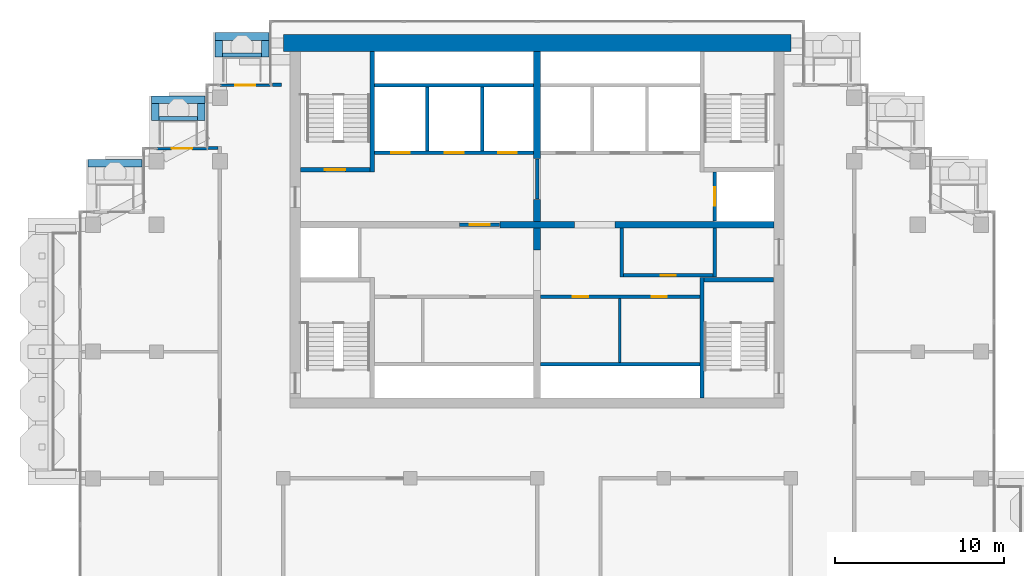
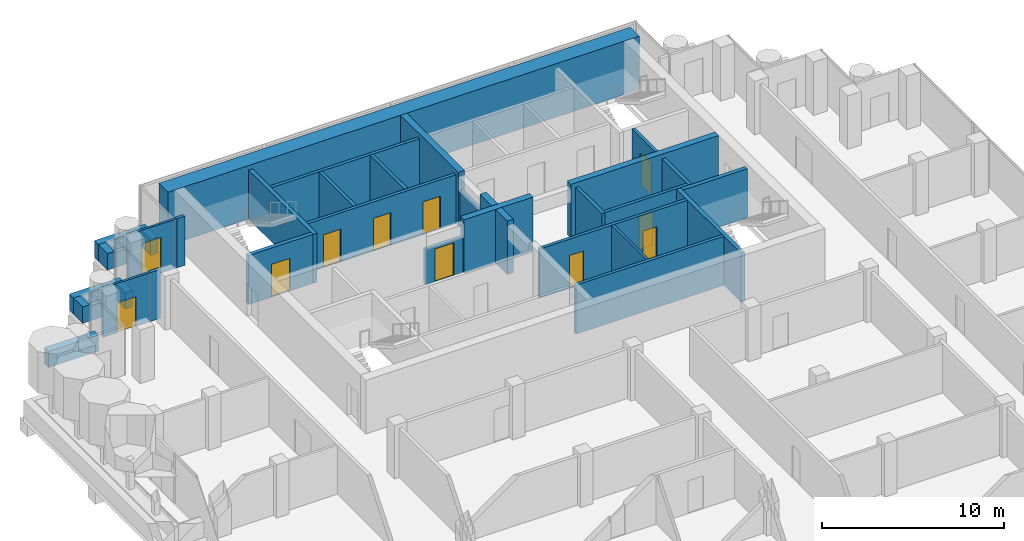
# One storey, part 13 of 18: 36 walls, 11 doors, 11 openings.
"""IFC4 building model written with IfcOpenShell, lengths in metres."""

from ifc_helpers import new_model, si_unit, direction, frame, frame_2d, origin, place, context, subcontext, project, spatial, rectangle, extrude, material, layer, layer_set, type_object, element, fill, save


model = new_model("IFC4")

# Units and contexts
model_context = context("Model", 3, precision=1e-05, world=origin(), true_north=direction((0.0, 1.0)))
body_context = subcontext(model_context, "Body", "Model", "MODEL_VIEW")
ifc_project = project(units=[si_unit("LENGTHUNIT", "METRE"), si_unit("AREAUNIT", "SQUARE_METRE"), si_unit("VOLUMEUNIT", "CUBIC_METRE"), si_unit("PLANEANGLEUNIT", "RADIAN"), si_unit("MASSUNIT", "GRAM", prefix="KILO")], contexts=[model_context])

# Site, building, storey
site_placement = place(None, origin())
site = spatial("IfcSite", under=ifc_project, at=site_placement, CompositionType="ELEMENT")
building_placement = place(site_placement, origin())
building = spatial("IfcBuilding", under=site, at=building_placement, Name="Pilkhan Gate Tower", CompositionType="ELEMENT")
storey_placement = place(building_placement, frame((0.0, 0.0, 242.699951171875)))
storey = spatial("IfcBuildingStorey", under=building, at=storey_placement, Name="L63", CompositionType="ELEMENT", Elevation=242.699951171875)

# Walls
ifc_material_1 = material(Name="Concrete C40/50", Category="concrete")
ifc_layer_1 = layer(ifc_material_1, 0.25)
ifc_layer_set_1 = layer_set([ifc_layer_1], Name="Balcony planter BP250")
wall_type_1 = type_object("IfcWallType", Name="Balcony planter BP250", PredefinedType="USERDEFINED", material=ifc_layer_set_1)
wall_1_placement = place(storey_placement, frame((56.39990234375, 92.52490234375, 0.0), z_axis=(0.0, 0.0, 1.0), x_axis=(1.0, 0.0, 0.0)))
element("IfcWall", 1, at=wall_1_placement, inside=storey, type_object=wall_type_1, Name="Balcony planter L63 N", ObjectType="BALCONY PLANTER", PredefinedType="USERDEFINED", context=body_context, shape_type="SweptSolid", body=[
    extrude(rectangle(XDim=2.300048828125, YDim=0.25, at=frame_2d((1.14990234375, 0.0))), origin(), (0.0, 0.0, 1.0), 1.0),
])
wall_2_placement = place(storey_placement, frame((52.64990234375, 88.77490234375, 0.0), z_axis=(0.0, 0.0, 1.0), x_axis=(1.0, 0.0, 0.0)))
element("IfcWall", 2, at=wall_2_placement, inside=storey, type_object=wall_type_1, Name="Balcony planter L63 N", ObjectType="BALCONY PLANTER", PredefinedType="USERDEFINED", context=body_context, shape_type="SweptSolid", body=[
    extrude(rectangle(XDim=2.280029296875, YDim=0.25, at=frame_2d((1.14013671875, 0.0))), origin(), (0.0, 0.0, 1.0), 1.0),
])
ifc_material_2 = material(Name="Board-marked Concrete C40/50", Category="concrete")
ifc_layer_2 = layer(ifc_material_2, 0.449951171875)
ifc_layer_set_2 = layer_set([ifc_layer_2], Name="Balcony planter lip BL450")
wall_type_2 = type_object("IfcWallType", Name="Balcony planter lip BL450", PredefinedType="USERDEFINED", material=ifc_layer_set_2)
wall_3_placement = place(storey_placement, frame((55.949951171875, 93.625, 0.0), z_axis=(0.0, 0.0, 1.0), x_axis=(1.0, 0.0, 0.0)))
element("IfcWall", 3, at=wall_3_placement, inside=storey, type_object=wall_type_2, Name="Balcony planter L63 N", ObjectType="BALCONY PLANTER", PredefinedType="USERDEFINED", context=body_context, shape_type="SweptSolid", body=[
    extrude(rectangle(XDim=3.199951171875, YDim=0.449951171875, at=frame_2d((1.60009765625, 0.0))), origin(), (0.0, 0.0, 1.0), 1.10009765625),
])
for number, where, z_axis, x_axis, name in (
    (4, (56.175048828125, 92.39990234375, 0.0), (0.0, 0.0, 1.0), (0.0, 1.0, 0.0), "Balcony planter L63 N"),
    (5, (58.925048828125, 92.39990234375, 0.0), (0.0, 0.0, 1.0), (0.0, 1.0, 0.0), "Balcony planter L63 N"),
):
    element("IfcWall", number, at=place(storey_placement, frame(where, z_axis=z_axis, x_axis=x_axis)), inside=storey, type_object=wall_type_2, Name=name, ObjectType="BALCONY PLANTER", PredefinedType="USERDEFINED", context=body_context, shape_type="SweptSolid", body=[
        extrude(rectangle(XDim=1.0, YDim=0.449951171875, at=frame_2d((0.5, 0.0))), origin(), (0.0, 0.0, 1.0), 1.10009765625),
    ])
wall_4_placement = place(storey_placement, frame((52.199951171875, 89.875, 0.0), z_axis=(0.0, 0.0, 1.0), x_axis=(1.0, 0.0, 0.0)))
element("IfcWall", 6, at=wall_4_placement, inside=storey, type_object=wall_type_2, Name="Balcony planter L63 N", ObjectType="BALCONY PLANTER", PredefinedType="USERDEFINED", context=body_context, shape_type="SweptSolid", body=[
    extrude(rectangle(XDim=3.179931640625, YDim=0.449951171875, at=frame_2d((1.58984375, 0.0))), origin(), (0.0, 0.0, 1.0), 1.10009765625),
])
for number, where, z_axis, x_axis, name in (
    (7, (52.425048828125, 88.64990234375, 0.0), (0.0, 0.0, 1.0), (0.0, 1.0, 0.0), "Balcony planter L63 N"),
    (8, (55.155029296875, 88.64990234375, 0.0), (0.0, 0.0, 1.0), (0.0, 1.0, 0.0), "Balcony planter L63 N"),
):
    element("IfcWall", number, at=place(storey_placement, frame(where, z_axis=z_axis, x_axis=x_axis)), inside=storey, type_object=wall_type_2, Name=name, ObjectType="BALCONY PLANTER", PredefinedType="USERDEFINED", context=body_context, shape_type="SweptSolid", body=[
        extrude(rectangle(XDim=1.0, YDim=0.449951171875, at=frame_2d((0.5, 0.0))), origin(), (0.0, 0.0, 1.0), 1.10009765625),
    ])
wall_5_placement = place(storey_placement, frame((48.449951171875, 86.125, 0.0), z_axis=(0.0, 0.0, 1.0), x_axis=(1.0, 0.0, 0.0)))
element("IfcWall", 9, at=wall_5_placement, inside=storey, type_object=wall_type_2, Name="Balcony planter L63 N", ObjectType="BALCONY PLANTER", PredefinedType="USERDEFINED", context=body_context, shape_type="SweptSolid", body=[
    extrude(rectangle(XDim=3.179931640625, YDim=0.449951171875, at=frame_2d((1.58984375, 0.0))), origin(), (0.0, 0.0, 1.0), 1.10009765625),
])
ifc_material_3 = material(Name="Concrete C50/60", Category="concrete")
ifc_layer_3 = layer(ifc_material_3, 1.0)
ifc_layer_set_3 = layer_set([ifc_layer_3], Name="Core wall CW1000 C50/60")
wall_type_3 = type_object("IfcWallType", Name="Core wall CW1000 C50/60", PredefinedType="SHEAR", material=ifc_layer_set_3)
wall_6_placement = place(storey_placement, frame((90.0, 93.25, 0.0), z_axis=(0.0, 0.0, 1.0), x_axis=(-1.0, 0.0, 0.0)))
element("IfcWall", 10, at=wall_6_placement, inside=storey, type_object=wall_type_3, Name="Core wall N L63", PredefinedType="SHEAR", context=body_context, shape_type="SweptSolid", body=[
    extrude(rectangle(XDim=30.0, YDim=1.0, at=frame_2d((15.0, 0.0))), origin(), (0.0, 0.0, 1.0), 3.60009765625),
])
ifc_material_4 = material(Name="Dense blockwork", Category="masonry")
ifc_layer_4 = layer(ifc_material_4, 0.199951171875)
ifc_layer_set_4 = layer_set([ifc_layer_4], Name="Corridor wall FW200")
wall_type_4 = type_object("IfcWallType", Name="Corridor wall FW200", PredefinedType="PARTITIONING", material=ifc_layer_set_4)
wall_7_placement = place(storey_placement, frame((55.510009765625, 87.030029296875, 0.0), z_axis=(0.0, 0.0, 1.0), x_axis=(1.0, 0.0, 0.0)))
element("IfcWall", 11, at=wall_7_placement, inside=storey, type_object=wall_type_4, Name="Partition L63", PredefinedType="PARTITIONING", context=body_context, shape_type="SweptSolid", body=[
    extrude(rectangle(XDim=0.639892578125, YDim=0.199951171875, at=frame_2d((0.31982421875, 0.0))), origin(), (0.0, 0.0, 1.0), 3.300048828125),
])
wall_8_placement = place(storey_placement, frame((59.35498046875, 90.764892578125, 0.0), z_axis=(0.0, 0.0, 1.0), x_axis=(1.0, 0.0, 0.0)))
element("IfcWall", 12, at=wall_8_placement, inside=storey, type_object=wall_type_4, Name="Partition L63", PredefinedType="PARTITIONING", context=body_context, shape_type="SweptSolid", body=[
    extrude(rectangle(XDim=0.52490234375, YDim=0.199951171875, at=frame_2d((0.262451171875, 0.0))), origin(), (0.0, 0.0, 1.0), 3.300048828125),
])

# Wall, opening, door
ifc_material_5 = material(Name="Pale anodised aluminium, clear laminated glazing", Category="aluminium")
ifc_layer_5 = layer(ifc_material_5, 0.14990234375)
ifc_layer_set_5 = layer_set([ifc_layer_5], Name="Facade infill wall IW150")
wall_type_5 = type_object("IfcWallType", Name="Facade infill wall IW150", PredefinedType="SOLIDWALL", material=ifc_layer_set_5)
wall_9_placement = place(storey_placement, frame((56.25, 90.75, 0.0), z_axis=(0.0, 0.0, 1.0), x_axis=(1.0, 0.0, 0.0)))
wall_9 = element("IfcWall", 13, at=wall_9_placement, inside=storey, type_object=wall_type_5, Name="Infill wall L63 N", PredefinedType="SOLIDWALL", context=body_context, shape_type="SweptSolid", body=[
    extrude(rectangle(XDim=3.0, YDim=0.14990234375, at=frame_2d((1.5, 0.0))), origin(), (0.0, 0.0, 1.0), 3.300048828125),
])
opening_1_placement = place(wall_9_placement, frame((0.89990234375, 0.0, 0.0)))
opening_1 = element("IfcOpeningElement", 14, at=opening_1_placement, cuts=wall_9, Name="Opening D1", PredefinedType="OPENING", context=body_context, shape_type="SweptSolid", body=[
    extrude(rectangle(XDim=1.199951171875, YDim=2.39990234375, at=frame_2d((0.60009765625, 1.199951171875))), frame((0.0, 0.0849609375, 0.0), z_axis=(0.0, -1.0, 0.0), x_axis=(1.0, 0.0, 0.0)), (0.0, 0.0, 1.0), 0.169921875),
])
ifc_material_6 = material(Name="Pale anodised aluminium, clear glazing", Category="aluminium")
door_type_1 = type_object("IfcDoorType", Name="Balcony door D1 1200x2400", OperationType="SINGLE_SWING_LEFT", PredefinedType="DOOR", material=ifc_material_6)
door_1_placement = place(opening_1_placement, origin())
door_1 = element("IfcDoor", 15, at=door_1_placement, inside=storey, type_object=door_type_1, Name="Balcony door L63", OperationType="SINGLE_SWING_LEFT", OverallHeight=2.39990234375, OverallWidth=1.199951171875, PredefinedType="DOOR", context=body_context, shape_type="SweptSolid", body=[
    extrude(rectangle(XDim=1.199951171875, YDim=2.39990234375, at=frame_2d((0.60009765625, 1.199951171875))), frame((0.0, 0.02490234375, 0.0), z_axis=(0.0, -1.0, 0.0), x_axis=(1.0, 0.0, 0.0)), (0.0, 0.0, 1.0), 0.050048828125),
])
fill(opening_1, door_1)

wall_10_placement = place(storey_placement, frame((52.5, 87.0, 0.0), z_axis=(0.0, 0.0, 1.0), x_axis=(1.0, 0.0, 0.0)))
wall_10 = element("IfcWall", 16, at=wall_10_placement, inside=storey, type_object=wall_type_5, Name="Infill wall L63 N", PredefinedType="SOLIDWALL", context=body_context, shape_type="SweptSolid", body=[
    extrude(rectangle(XDim=3.0, YDim=0.14990234375, at=frame_2d((1.5, 0.0))), origin(), (0.0, 0.0, 1.0), 3.300048828125),
])
opening_2_placement = place(wall_10_placement, frame((0.89990234375, 0.0, 0.0)))
opening_2 = element("IfcOpeningElement", 17, at=opening_2_placement, cuts=wall_10, Name="Opening D1L", PredefinedType="OPENING", context=body_context, shape_type="SweptSolid", body=[
    extrude(rectangle(XDim=1.199951171875, YDim=2.0, at=frame_2d((0.60009765625, 1.0))), frame((0.0, 0.0849609375, 0.0), z_axis=(0.0, -1.0, 0.0), x_axis=(1.0, 0.0, 0.0)), (0.0, 0.0, 1.0), 0.169921875),
])
door_type_2 = type_object("IfcDoorType", Name="Balcony door D1L 1200x2000", OperationType="SINGLE_SWING_LEFT", PredefinedType="DOOR", material=ifc_material_6)
door_2_placement = place(opening_2_placement, origin())
door_2 = element("IfcDoor", 18, at=door_2_placement, inside=storey, type_object=door_type_2, Name="Balcony door L63", OperationType="SINGLE_SWING_LEFT", OverallHeight=2.0, OverallWidth=1.199951171875, PredefinedType="DOOR", context=body_context, shape_type="SweptSolid", body=[
    extrude(rectangle(XDim=1.199951171875, YDim=2.0, at=frame_2d((0.60009765625, 1.0))), frame((0.0, 0.02490234375, 0.0), z_axis=(0.0, -1.0, 0.0), x_axis=(1.0, 0.0, 0.0)), (0.0, 0.0, 1.0), 0.050048828125),
])
fill(opening_2, door_2)

# Wall
ifc_layer_6 = layer(ifc_material_4, 0.199951171875)
ifc_layer_set_6 = layer_set([ifc_layer_6], Name="Lobby wall LW200")
wall_type_6 = type_object("IfcWallType", Name="Lobby wall LW200", PredefinedType="PARTITIONING", material=ifc_layer_set_6)
wall_11_placement = place(storey_placement, frame((75.2099609375, 74.25, 0.0), z_axis=(0.0, 0.0, 1.0), x_axis=(1.0, 0.0, 0.0)))
element("IfcWall", 19, at=wall_11_placement, inside=storey, type_object=wall_type_6, Name="Partition L63", PredefinedType="PARTITIONING", context=body_context, shape_type="SweptSolid", body=[
    extrude(rectangle(XDim=9.4150390625, YDim=0.199951171875, at=frame_2d((4.70751953125, 0.0))), origin(), (0.0, 0.0, 1.0), 3.300048828125),
])

# Wall, openings, doors
wall_12_placement = place(storey_placement, frame((75.2099609375, 78.25, 0.0), z_axis=(0.0, 0.0, 1.0), x_axis=(1.0, 0.0, 0.0)))
wall_12 = element("IfcWall", 20, at=wall_12_placement, inside=storey, type_object=wall_type_6, Name="Partition L63", PredefinedType="PARTITIONING", context=body_context, shape_type="SweptSolid", body=[
    extrude(rectangle(XDim=9.4150390625, YDim=0.199951171875, at=frame_2d((4.70751953125, 0.0))), origin(), (0.0, 0.0, 1.0), 3.300048828125),
])
opening_3_placement = place(wall_12_placement, frame((1.89990234375, 0.0, 0.0)))
opening_3 = element("IfcOpeningElement", 21, at=opening_3_placement, cuts=wall_12, Name="Opening L63-11", PredefinedType="OPENING", context=body_context, shape_type="SweptSolid", body=[
    extrude(rectangle(XDim=0.89990234375, YDim=2.199951171875, at=frame_2d((0.449951171875, 1.10009765625))), frame((0.0, 0.10986328125, 0.0), z_axis=(0.0, -1.0, 0.0), x_axis=(1.0, 0.0, 0.0)), (0.0, 0.0, 1.0), 0.219970703125),
])
opening_4_placement = place(wall_12_placement, frame((6.56494140625, 0.0, 0.0)))
opening_4 = element("IfcOpeningElement", 22, at=opening_4_placement, cuts=wall_12, Name="Opening L63-12", PredefinedType="OPENING", context=body_context, shape_type="SweptSolid", body=[
    extrude(rectangle(XDim=0.89990234375, YDim=2.199951171875, at=frame_2d((0.449951171875, 1.10009765625))), frame((0.0, 0.10986328125, 0.0), z_axis=(0.0, -1.0, 0.0), x_axis=(1.0, 0.0, 0.0)), (0.0, 0.0, 1.0), 0.219970703125),
])
ifc_material_7 = material(Name="Timber flush door, 60 minute fire resisting, self-closing", Category="wood")
door_type_3 = type_object("IfcDoorType", Name="Store door D05 900x2200", OperationType="SINGLE_SWING_LEFT", PredefinedType="DOOR", material=ifc_material_7)
door_3_placement = place(opening_3_placement, origin())
door_3 = element("IfcDoor", 23, at=door_3_placement, inside=storey, type_object=door_type_3, Name="Store door", OperationType="SINGLE_SWING_RIGHT", OverallHeight=2.199951171875, OverallWidth=0.89990234375, PredefinedType="DOOR", context=body_context, shape_type="SweptSolid", body=[
    extrude(rectangle(XDim=0.89990234375, YDim=2.199951171875, at=frame_2d((0.449951171875, 1.10009765625))), frame((0.0, 0.02490234375, 0.0), z_axis=(0.0, -1.0, 0.0), x_axis=(1.0, 0.0, 0.0)), (0.0, 0.0, 1.0), 0.050048828125),
])
fill(opening_3, door_3)
door_4_placement = place(opening_4_placement, origin())
door_4 = element("IfcDoor", 24, at=door_4_placement, inside=storey, type_object=door_type_3, Name="Store door", OperationType="SINGLE_SWING_LEFT", OverallHeight=2.199951171875, OverallWidth=0.89990234375, PredefinedType="DOOR", context=body_context, shape_type="SweptSolid", body=[
    extrude(rectangle(XDim=0.89990234375, YDim=2.199951171875, at=frame_2d((0.449951171875, 1.10009765625))), frame((0.0, 0.02490234375, 0.0), z_axis=(0.0, -1.0, 0.0), x_axis=(1.0, 0.0, 0.0)), (0.0, 0.0, 1.0), 0.050048828125),
])
fill(opening_4, door_4)

# Wall, opening, door
wall_13_placement = place(storey_placement, frame((80.10009765625, 79.5, 0.0), z_axis=(0.0, 0.0, 1.0), x_axis=(1.0, 0.0, 0.0)))
wall_13 = element("IfcWall", 25, at=wall_13_placement, inside=storey, type_object=wall_type_6, Name="Partition L63", PredefinedType="PARTITIONING", context=body_context, shape_type="SweptSolid", body=[
    extrude(rectangle(XDim=5.2998046875, YDim=0.199951171875, at=frame_2d((2.64990234375, 0.0))), origin(), (0.0, 0.0, 1.0), 3.300048828125),
])
opening_5_placement = place(wall_13_placement, frame((2.199951171875, 0.0, 0.0)))
opening_5 = element("IfcOpeningElement", 26, at=opening_5_placement, cuts=wall_13, Name="Opening L63-07", PredefinedType="OPENING", context=body_context, shape_type="SweptSolid", body=[
    extrude(rectangle(XDim=0.89990234375, YDim=2.199951171875, at=frame_2d((0.449951171875, 1.10009765625))), frame((0.0, 0.10986328125, 0.0), z_axis=(0.0, -1.0, 0.0), x_axis=(1.0, 0.0, 0.0)), (0.0, 0.0, 1.0), 0.219970703125),
])
door_5_placement = place(opening_5_placement, origin())
door_5 = element("IfcDoor", 27, at=door_5_placement, inside=storey, type_object=door_type_3, Name="Store door", OperationType="SINGLE_SWING_LEFT", OverallHeight=2.199951171875, OverallWidth=0.89990234375, PredefinedType="DOOR", context=body_context, shape_type="SweptSolid", body=[
    extrude(rectangle(XDim=0.89990234375, YDim=2.199951171875, at=frame_2d((0.449951171875, 1.10009765625))), frame((0.0, 0.02490234375, 0.0), z_axis=(0.0, -1.0, 0.0), x_axis=(1.0, 0.0, 0.0)), (0.0, 0.0, 1.0), 0.050048828125),
])
fill(opening_5, door_5)

wall_14_placement = place(storey_placement, frame((70.409912109375, 82.5, 0.0), z_axis=(0.0, 0.0, 1.0), x_axis=(1.0, 0.0, 0.0)))
wall_14 = element("IfcWall", 28, at=wall_14_placement, inside=storey, type_object=wall_type_6, Name="Partition L63", PredefinedType="PARTITIONING", context=body_context, shape_type="SweptSolid", body=[
    extrude(rectangle(XDim=2.380126953125, YDim=0.199951171875, at=frame_2d((1.18994140625, 0.0))), origin(), (0.0, 0.0, 1.0), 2.400146484375),
])
opening_6_placement = place(wall_14_placement, frame((0.60009765625, 0.0, 0.0)))
opening_6 = element("IfcOpeningElement", 29, at=opening_6_placement, cuts=wall_14, Name="Opening L63-01", PredefinedType="OPENING", context=body_context, shape_type="SweptSolid", body=[
    extrude(rectangle(XDim=1.199951171875, YDim=2.199951171875, at=frame_2d((0.60009765625, 1.10009765625))), frame((0.0, 0.10986328125, 0.0), z_axis=(0.0, -1.0, 0.0), x_axis=(1.0, 0.0, 0.0)), (0.0, 0.0, 1.0), 0.219970703125),
])
ifc_material_8 = material(Name="Steel door, 120 minute fire resisting, self-closing", Category="steel")
door_type_4 = type_object("IfcDoorType", Name="Firefighting lobby door D10 1200x2200", OperationType="SINGLE_SWING_LEFT", PredefinedType="DOOR", material=ifc_material_8)
door_6_placement = place(opening_6_placement, origin())
door_6 = element("IfcDoor", 30, at=door_6_placement, inside=storey, type_object=door_type_4, Name="Firefighting lobby door", OperationType="SINGLE_SWING_LEFT", OverallHeight=2.199951171875, OverallWidth=1.199951171875, PredefinedType="DOOR", context=body_context, shape_type="SweptSolid", body=[
    extrude(rectangle(XDim=1.199951171875, YDim=2.199951171875, at=frame_2d((0.60009765625, 1.10009765625))), frame((0.0, 0.02490234375, 0.0), z_axis=(0.0, -1.0, 0.0), x_axis=(1.0, 0.0, 0.0)), (0.0, 0.0, 1.0), 0.050048828125),
])
fill(opening_6, door_6)

# Walls
wall_15_placement = place(storey_placement, frame((75.0, 84.010009765625, 0.0), z_axis=(0.0, 0.0, 1.0), x_axis=(0.0, 1.0, 0.0)))
element("IfcWall", 31, at=wall_15_placement, inside=storey, type_object=wall_type_6, Name="Partition L63", PredefinedType="PARTITIONING", context=body_context, shape_type="SweptSolid", body=[
    extrude(rectangle(XDim=2.3798828125, YDim=0.199951171875, at=frame_2d((1.18994140625, 0.0))), origin(), (0.0, 0.0, 1.0), 2.400146484375),
])
for number, where, z_axis, x_axis, name in (
    (32, (80.0, 79.39990234375, 0.0), (0.0, 0.0, 1.0), (0.0, 1.0, 0.0), "Partition L63"),
    (33, (85.5, 79.39990234375, 0.0), (0.0, 0.0, 1.0), (0.0, 1.0, 0.0), "Partition L63"),
):
    element("IfcWall", number, at=place(storey_placement, frame(where, z_axis=z_axis, x_axis=x_axis)), inside=storey, type_object=wall_type_6, Name=name, PredefinedType="PARTITIONING", context=body_context, shape_type="SweptSolid", body=[
        extrude(rectangle(XDim=2.89013671875, YDim=0.199951171875, at=frame_2d((1.445068359375, 0.0))), origin(), (0.0, 0.0, 1.0), 3.300048828125),
    ])
ifc_material_9 = material(Name="Blockwork partition, plastered both sides", Category="masonry")
ifc_layer_7 = layer(ifc_material_9, 0.14990234375)
ifc_layer_set_7 = layer_set([ifc_layer_7], Name="Partition PW150")
wall_type_7 = type_object("IfcWallType", Name="Partition PW150", PredefinedType="PARTITIONING", material=ifc_layer_set_7)
wall_16_placement = place(storey_placement, frame((79.875, 74.35009765625, 0.0), z_axis=(0.0, 0.0, 1.0), x_axis=(0.0, 1.0, 0.0)))
element("IfcWall", 34, at=wall_16_placement, inside=storey, type_object=wall_type_7, Name="Partition L63", PredefinedType="PARTITIONING", context=body_context, shape_type="SweptSolid", body=[
    extrude(rectangle(XDim=3.7998046875, YDim=0.14990234375, at=frame_2d((1.89990234375, 0.0))), origin(), (0.0, 0.0, 1.0), 3.300048828125),
])

# Wall, openings, doors
ifc_material_10 = material(Name="Reinforced blockwork shaft wall, 120 minute fire resisting", Category="masonry")
ifc_layer_8 = layer(ifc_material_10, 0.199951171875)
ifc_layer_set_8 = layer_set([ifc_layer_8], Name="Shaft wall SW200")
wall_type_8 = type_object("IfcWallType", Name="Shaft wall SW200", PredefinedType="PARTITIONING", material=ifc_layer_set_8)
wall_17_placement = place(storey_placement, frame((65.375, 86.75, 0.0), z_axis=(0.0, 0.0, 1.0), x_axis=(1.0, 0.0, 0.0)))
wall_17 = element("IfcWall", 35, at=wall_17_placement, inside=storey, type_object=wall_type_8, Name="Partition L63", PredefinedType="PARTITIONING", context=body_context, shape_type="SweptSolid", body=[
    extrude(rectangle(XDim=9.4150390625, YDim=0.199951171875, at=frame_2d((4.70751953125, 0.0))), origin(), (0.0, 0.0, 1.0), 3.300048828125),
])
opening_7_placement = place(wall_17_placement, frame((1.0, 0.0, 0.0)))
opening_7 = element("IfcOpeningElement", 36, at=opening_7_placement, cuts=wall_17, Name="Opening LD", PredefinedType="OPENING", context=body_context, shape_type="SweptSolid", body=[
    extrude(rectangle(XDim=1.10009765625, YDim=2.199951171875, at=frame_2d((0.550048828125, 1.10009765625))), frame((0.0, 0.10986328125, 0.0), z_axis=(0.0, -1.0, 0.0), x_axis=(1.0, 0.0, 0.0)), (0.0, 0.0, 1.0), 0.219970703125),
])
opening_8_placement = place(wall_17_placement, frame((4.175048828125, 0.0, 0.0)))
opening_8 = element("IfcOpeningElement", 37, at=opening_8_placement, cuts=wall_17, Name="Opening LD", PredefinedType="OPENING", context=body_context, shape_type="SweptSolid", body=[
    extrude(rectangle(XDim=1.10009765625, YDim=2.199951171875, at=frame_2d((0.550048828125, 1.10009765625))), frame((0.0, 0.10986328125, 0.0), z_axis=(0.0, -1.0, 0.0), x_axis=(1.0, 0.0, 0.0)), (0.0, 0.0, 1.0), 0.219970703125),
])
opening_9_placement = place(wall_17_placement, frame((7.324951171875, 0.0, 0.0)))
opening_9 = element("IfcOpeningElement", 38, at=opening_9_placement, cuts=wall_17, Name="Opening LD", PredefinedType="OPENING", context=body_context, shape_type="SweptSolid", body=[
    extrude(rectangle(XDim=1.10009765625, YDim=2.199951171875, at=frame_2d((0.550048828125, 1.10009765625))), frame((0.0, 0.10986328125, 0.0), z_axis=(0.0, -1.0, 0.0), x_axis=(1.0, 0.0, 0.0)), (0.0, 0.0, 1.0), 0.219970703125),
])
ifc_material_11 = material(Name="Stainless steel centre-opening landing door, 120 minute fire resisting", Category="steel")
door_type_5 = type_object("IfcDoorType", Name="Lift landing door LD 1100x2200", OperationType="DOUBLE_DOOR_SLIDING", PredefinedType="DOOR", material=ifc_material_11)
door_7_placement = place(opening_7_placement, origin())
door_7 = element("IfcDoor", 39, at=door_7_placement, inside=storey, type_object=door_type_5, Name="Landing door FF1", OperationType="DOUBLE_DOOR_SLIDING", OverallHeight=2.199951171875, OverallWidth=1.10009765625, PredefinedType="DOOR", context=body_context, shape_type="SweptSolid", body=[
    extrude(rectangle(XDim=1.10009765625, YDim=2.199951171875, at=frame_2d((0.550048828125, 1.10009765625))), frame((0.0, 0.02490234375, 0.0), z_axis=(0.0, -1.0, 0.0), x_axis=(1.0, 0.0, 0.0)), (0.0, 0.0, 1.0), 0.050048828125),
])
fill(opening_7, door_7)
door_8_placement = place(opening_8_placement, origin())
door_8 = element("IfcDoor", 40, at=door_8_placement, inside=storey, type_object=door_type_5, Name="Landing door FF2", OperationType="DOUBLE_DOOR_SLIDING", OverallHeight=2.199951171875, OverallWidth=1.10009765625, PredefinedType="DOOR", context=body_context, shape_type="SweptSolid", body=[
    extrude(rectangle(XDim=1.10009765625, YDim=2.199951171875, at=frame_2d((0.550048828125, 1.10009765625))), frame((0.0, 0.02490234375, 0.0), z_axis=(0.0, -1.0, 0.0), x_axis=(1.0, 0.0, 0.0)), (0.0, 0.0, 1.0), 0.050048828125),
])
fill(opening_8, door_8)
door_9_placement = place(opening_9_placement, origin())
door_9 = element("IfcDoor", 41, at=door_9_placement, inside=storey, type_object=door_type_5, Name="Landing door SV1", OperationType="DOUBLE_DOOR_SLIDING", OverallHeight=2.199951171875, OverallWidth=1.10009765625, PredefinedType="DOOR", context=body_context, shape_type="SweptSolid", body=[
    extrude(rectangle(XDim=1.10009765625, YDim=2.199951171875, at=frame_2d((0.550048828125, 1.10009765625))), frame((0.0, 0.02490234375, 0.0), z_axis=(0.0, -1.0, 0.0), x_axis=(1.0, 0.0, 0.0)), (0.0, 0.0, 1.0), 0.050048828125),
])
fill(opening_9, door_9)

# Walls
wall_18_placement = place(storey_placement, frame((65.375, 90.75, 0.0), z_axis=(0.0, 0.0, 1.0), x_axis=(1.0, 0.0, 0.0)))
element("IfcWall", 42, at=wall_18_placement, inside=storey, type_object=wall_type_8, Name="Partition L63", PredefinedType="PARTITIONING", context=body_context, shape_type="SweptSolid", body=[
    extrude(rectangle(XDim=9.4150390625, YDim=0.199951171875, at=frame_2d((4.70751953125, 0.0))), origin(), (0.0, 0.0, 1.0), 3.300048828125),
])
for number, where, z_axis, x_axis, name in (
    (43, (68.5, 86.85009765625, 0.0), (0.0, 0.0, 1.0), (0.0, 1.0, 0.0), "Partition L63"),
    (44, (71.75, 86.85009765625, 0.0), (0.0, 0.0, 1.0), (0.0, 1.0, 0.0), "Partition L63"),
):
    element("IfcWall", number, at=place(storey_placement, frame(where, z_axis=z_axis, x_axis=x_axis)), inside=storey, type_object=wall_type_8, Name=name, PredefinedType="PARTITIONING", context=body_context, shape_type="SweptSolid", body=[
        extrude(rectangle(XDim=3.7998046875, YDim=0.199951171875, at=frame_2d((1.89990234375, 0.0))), origin(), (0.0, 0.0, 1.0), 3.300048828125),
    ])

# Wall, opening, door
wall_19_placement = place(storey_placement, frame((85.5, 82.7099609375, 0.0), z_axis=(0.0, 0.0, 1.0), x_axis=(0.0, 1.0, 0.0)))
wall_19 = element("IfcWall", 45, at=wall_19_placement, inside=storey, type_object=wall_type_8, Name="Partition L63", PredefinedType="PARTITIONING", context=body_context, shape_type="SweptSolid", body=[
    extrude(rectangle(XDim=2.9150390625, YDim=0.199951171875, at=frame_2d((1.45751953125, 0.0))), origin(), (0.0, 0.0, 1.0), 3.300048828125),
])
opening_10_placement = place(wall_19_placement, frame((0.89990234375, 0.0, 0.0)))
opening_10 = element("IfcOpeningElement", 46, at=opening_10_placement, cuts=wall_19, Name="Opening LD", PredefinedType="OPENING", context=body_context, shape_type="SweptSolid", body=[
    extrude(rectangle(XDim=1.10009765625, YDim=2.199951171875, at=frame_2d((0.550048828125, 1.10009765625))), frame((0.0, 0.10986328125, 0.0), z_axis=(0.0, -1.0, 0.0), x_axis=(1.0, 0.0, 0.0)), (0.0, 0.0, 1.0), 0.219970703125),
])
door_10_placement = place(opening_10_placement, origin())
door_10 = element("IfcDoor", 47, at=door_10_placement, inside=storey, type_object=door_type_5, Name="Landing door HR4", OperationType="DOUBLE_DOOR_SLIDING", OverallHeight=2.199951171875, OverallWidth=1.10009765625, PredefinedType="DOOR", context=body_context, shape_type="SweptSolid", body=[
    extrude(rectangle(XDim=1.10009765625, YDim=2.199951171875, at=frame_2d((0.550048828125, 1.10009765625))), frame((0.0, 0.02490234375, 0.0), z_axis=(0.0, -1.0, 0.0), x_axis=(1.0, 0.0, 0.0)), (0.0, 0.0, 1.0), 0.050048828125),
])
fill(opening_10, door_10)

# Walls
ifc_layer_9 = layer(ifc_material_3, 0.39990234375)
ifc_layer_set_9 = layer_set([ifc_layer_9], Name="Spine wall SW400 C50/60")
wall_type_9 = type_object("IfcWallType", Name="Spine wall SW400 C50/60", PredefinedType="SHEAR", material=ifc_layer_set_9)
wall_20_placement = place(storey_placement, frame((72.800048828125, 82.5, 0.0), z_axis=(0.0, 0.0, 1.0), x_axis=(1.0, 0.0, 0.0)))
element("IfcWall", 48, at=wall_20_placement, inside=storey, type_object=wall_type_9, Name="Spine wall SP-EW2 L63", PredefinedType="SHEAR", context=body_context, shape_type="SweptSolid", body=[
    extrude(rectangle(XDim=4.39990234375, YDim=0.39990234375, at=frame_2d((2.199951171875, 0.0))), origin(), (0.0, 0.0, 1.0), 3.60009765625),
])
wall_21_placement = place(storey_placement, frame((79.60009765625, 82.5, 0.0), z_axis=(0.0, 0.0, 1.0), x_axis=(1.0, 0.0, 0.0)))
element("IfcWall", 49, at=wall_21_placement, inside=storey, type_object=wall_type_9, Name="Spine wall SP-EW3 L63", PredefinedType="SHEAR", context=body_context, shape_type="SweptSolid", body=[
    extrude(rectangle(XDim=9.39990234375, YDim=0.39990234375, at=frame_2d((4.699951171875, 0.0))), origin(), (0.0, 0.0, 1.0), 3.60009765625),
])
for number, where, z_axis, x_axis, name in (
    (50, (75.0, 81.0, 0.0), (0.0, 0.0, 1.0), (0.0, 1.0, 0.0), "Spine wall SP-NS-S2 L63"),
    (51, (75.0, 82.699951171875, 0.0), (0.0, 0.0, 1.0), (0.0, 1.0, 0.0), "Spine wall SP-NS-N1 L63"),
):
    element("IfcWall", number, at=place(storey_placement, frame(where, z_axis=z_axis, x_axis=x_axis)), inside=storey, type_object=wall_type_9, Name=name, PredefinedType="SHEAR", context=body_context, shape_type="SweptSolid", body=[
        extrude(rectangle(XDim=1.300048828125, YDim=0.39990234375, at=frame_2d((0.64990234375, 0.0))), origin(), (0.0, 0.0, 1.0), 3.60009765625),
    ])
wall_22_placement = place(storey_placement, frame((75.0, 86.39990234375, 0.0), z_axis=(0.0, 0.0, 1.0), x_axis=(0.0, 1.0, 0.0)))
element("IfcWall", 52, at=wall_22_placement, inside=storey, type_object=wall_type_9, Name="Spine wall SP-NS-N2 L63", PredefinedType="SHEAR", context=body_context, shape_type="SweptSolid", body=[
    extrude(rectangle(XDim=6.35009765625, YDim=0.39990234375, at=frame_2d((3.175048828125, 0.0))), origin(), (0.0, 0.0, 1.0), 3.60009765625),
])
ifc_material_12 = material(Name="Reinforced blockwork, 120 minute fire resisting", Category="masonry")
ifc_layer_10 = layer(ifc_material_12, 0.25)
ifc_layer_set_10 = layer_set([ifc_layer_10], Name="Stair enclosure wall SE250")
wall_type_10 = type_object("IfcWallType", Name="Stair enclosure wall SE250", PredefinedType="PARTITIONING", material=ifc_layer_set_10)
wall_23_placement = place(storey_placement, frame((84.875, 79.25, 0.0), z_axis=(0.0, 0.0, 1.0), x_axis=(1.0, 0.0, 0.0)))
element("IfcWall", 53, at=wall_23_placement, inside=storey, type_object=wall_type_10, Name="Partition L63", PredefinedType="PARTITIONING", context=body_context, shape_type="SweptSolid", body=[
    extrude(rectangle(XDim=4.114990234375, YDim=0.25, at=frame_2d((2.0576171875, 0.0))), origin(), (0.0, 0.0, 1.0), 3.300048828125),
])

# Wall, opening, door
wall_24_placement = place(storey_placement, frame((61.010009765625, 85.75, 0.0), z_axis=(0.0, 0.0, 1.0), x_axis=(1.0, 0.0, 0.0)))
wall_24 = element("IfcWall", 54, at=wall_24_placement, inside=storey, type_object=wall_type_10, Name="Partition L63", PredefinedType="PARTITIONING", context=body_context, shape_type="SweptSolid", body=[
    extrude(rectangle(XDim=4.114990234375, YDim=0.25, at=frame_2d((2.0576171875, 0.0))), origin(), (0.0, 0.0, 1.0), 3.300048828125),
])
opening_11_placement = place(wall_24_placement, frame((1.449951171875, 0.0, 0.0)))
opening_11 = element("IfcOpeningElement", 55, at=opening_11_placement, cuts=wall_24, Name="Opening L63-02", PredefinedType="OPENING", context=body_context, shape_type="SweptSolid", body=[
    extrude(rectangle(XDim=1.199951171875, YDim=2.199951171875, at=frame_2d((0.60009765625, 1.10009765625))), frame((0.0, 0.135009765625, 0.0), z_axis=(0.0, -1.0, 0.0), x_axis=(1.0, 0.0, 0.0)), (0.0, 0.0, 1.0), 0.27001953125),
])
ifc_material_13 = material(Name="Steel door, 120 minute fire resisting, panic bar", Category="steel")
door_type_6 = type_object("IfcDoorType", Name="Stair door D11 1200x2200", OperationType="SINGLE_SWING_LEFT", PredefinedType="DOOR", material=ifc_material_13)
door_11_placement = place(opening_11_placement, origin())
door_11 = element("IfcDoor", 56, at=door_11_placement, inside=storey, type_object=door_type_6, Name="Stair ST3 lobby door", OperationType="SINGLE_SWING_LEFT", OverallHeight=2.199951171875, OverallWidth=1.199951171875, PredefinedType="DOOR", context=body_context, shape_type="SweptSolid", body=[
    extrude(rectangle(XDim=1.199951171875, YDim=2.199951171875, at=frame_2d((0.60009765625, 1.10009765625))), frame((0.0, 0.02490234375, 0.0), z_axis=(0.0, -1.0, 0.0), x_axis=(1.0, 0.0, 0.0)), (0.0, 0.0, 1.0), 0.050048828125),
])
fill(opening_11, door_11)

# Walls
for number, where, z_axis, x_axis, name in (
    (57, (65.25, 85.625, 0.0), (0.0, 0.0, 1.0), (0.0, 1.0, 0.0), "Partition L63"),
    (58, (84.75, 72.260009765625, 0.0), (0.0, 0.0, 1.0), (0.0, 1.0, 0.0), "Partition L63"),
):
    element("IfcWall", number, at=place(storey_placement, frame(where, z_axis=z_axis, x_axis=x_axis)), inside=storey, type_object=wall_type_10, Name=name, PredefinedType="PARTITIONING", context=body_context, shape_type="SweptSolid", body=[
        extrude(rectangle(XDim=7.114990234375, YDim=0.25, at=frame_2d((3.5576171875, 0.0))), origin(), (0.0, 0.0, 1.0), 3.300048828125),
    ])

save(model, "model.ifc")
